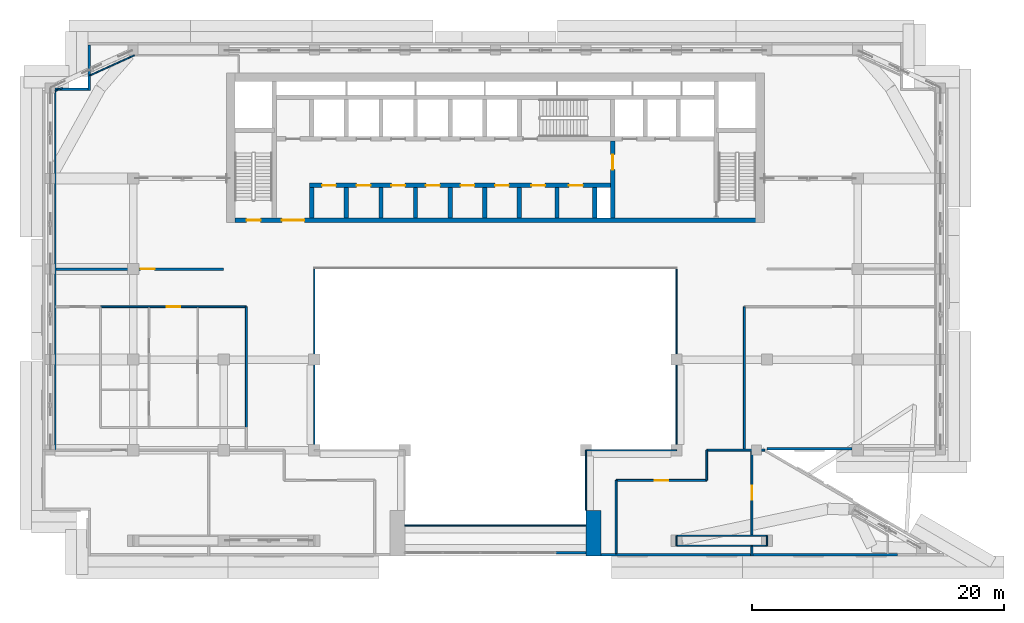
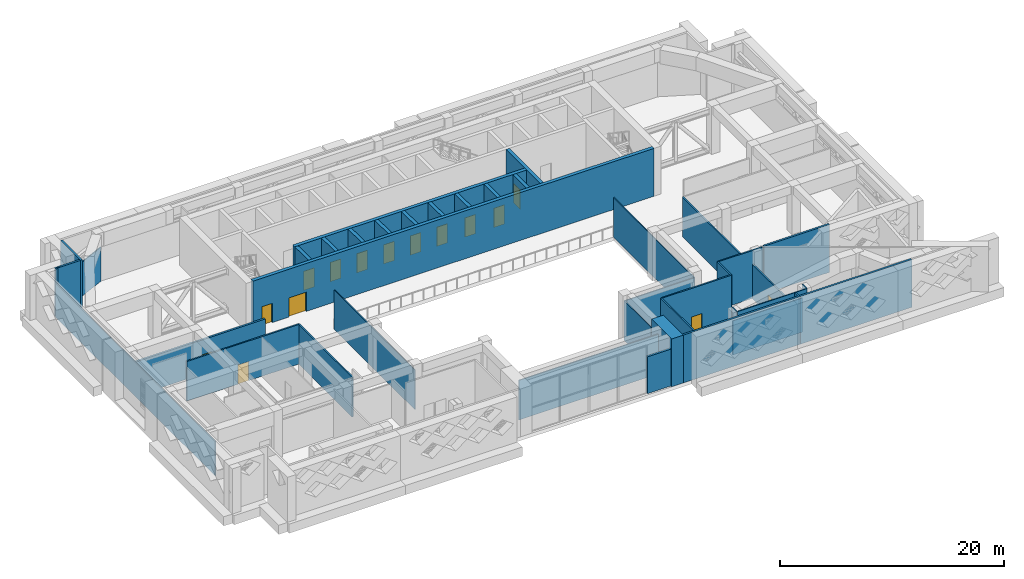
# One storey, part 9 of 20: 40 walls, 15 doors, 15 openings.
"""IFC4 building model written with IfcOpenShell, lengths in metres."""

from ifc_helpers import new_model, si_unit, direction, frame, frame_2d, origin, place, context, subcontext, project, spatial, rectangle, extrude, material, layer, layer_set, type_object, element, fill, save


model = new_model("IFC4")

# Units and contexts
model_context = context("Model", 3, precision=1e-05, world=origin(), true_north=direction((0.0, 1.0)))
body_context = subcontext(model_context, "Body", "Model", "MODEL_VIEW")
ifc_project = project(units=[si_unit("LENGTHUNIT", "METRE"), si_unit("AREAUNIT", "SQUARE_METRE"), si_unit("VOLUMEUNIT", "CUBIC_METRE"), si_unit("PLANEANGLEUNIT", "RADIAN"), si_unit("MASSUNIT", "GRAM", prefix="KILO")], contexts=[model_context])

# Site, building, storey
site_placement = place(None, origin())
site = spatial("IfcSite", under=ifc_project, at=site_placement, CompositionType="ELEMENT")
building_placement = place(site_placement, origin())
building = spatial("IfcBuilding", under=site, at=building_placement, Name="Saffron Iwan Residences", CompositionType="ELEMENT")
storey_placement = place(building_placement, frame((0.0, 0.0, 206.0)))
storey = spatial("IfcBuildingStorey", under=building, at=storey_placement, Name="L55", CompositionType="ELEMENT", Elevation=206.0)

# Wall, opening, door
ifc_material_1 = material(Name="Concrete blockwork", Category="masonry")
ifc_layer_1 = layer(ifc_material_1, 0.14990234375)
ifc_layer_set_1 = layer_set([ifc_layer_1], Name="Concrete blockwork")
wall_type_1 = type_object("IfcWallType", Name="Blockwork partition 150", PredefinedType="PARTITIONING", material=ifc_layer_set_1)
wall_1_placement = place(storey_placement, frame((60.0, 45.60009765625, 0.0), z_axis=(0.0, 0.0, 1.0), x_axis=(1.0, 0.0, 0.0)))
wall_1 = element("IfcWall", 1, at=wall_1_placement, inside=storey, type_object=wall_type_1, Name="W-L55-007", PredefinedType="PARTITIONING", context=body_context, shape_type="SweptSolid", body=[
    extrude(rectangle(XDim=7.199951171875, YDim=0.14990234375, at=frame_2d((3.60009765625, 0.0))), origin(), (0.0, 0.0, 1.0), 5.219970703125),
])
opening_1_placement = place(wall_1_placement, frame((3.050048828125, 0.0, 0.0)))
opening_1 = element("IfcOpeningElement", 2, at=opening_1_placement, cuts=wall_1, Name="Opening L55.08", PredefinedType="OPENING", context=body_context, shape_type="SweptSolid", body=[
    extrude(rectangle(XDim=1.10009765625, YDim=2.10009765625, at=frame_2d((0.550048828125, 1.050048828125))), frame((0.0, 0.0849609375, 0.0), z_axis=(0.0, -1.0, 0.0), x_axis=(1.0, 0.0, 0.0)), (0.0, 0.0, 1.0), 0.169921875),
])
ifc_material_2 = material(Name="Steel", Category="steel")
door_type_1 = type_object("IfcDoorType", Name="Fire door 1100x2100", OperationType="NOTDEFINED", PredefinedType="DOOR", material=ifc_material_2)
door_1_placement = place(opening_1_placement, origin())
door_1 = element("IfcDoor", 3, at=door_1_placement, inside=storey, type_object=door_type_1, Name="D-L55-008", OperationType="SINGLE_SWING_RIGHT", OverallHeight=2.10009765625, OverallWidth=1.10009765625, PredefinedType="DOOR", context=body_context, shape_type="SweptSolid", body=[
    extrude(rectangle(XDim=1.10009765625, YDim=2.10009765625, at=frame_2d((0.550048828125, 1.050048828125))), frame((0.0, 0.02490234375, 0.0), z_axis=(0.0, -1.0, 0.0), x_axis=(1.0, 0.0, 0.0)), (0.0, 0.0, 1.0), 0.050048828125),
])
fill(opening_1, door_1)

# Wall
wall_2_placement = place(storey_placement, frame((67.199951171875, 48.0, 0.0), z_axis=(0.0, 0.0, 1.0), x_axis=(1.0, 0.0, 0.0)))
element("IfcWall", 4, at=wall_2_placement, inside=storey, type_object=wall_type_1, Name="W-L55-012", PredefinedType="PARTITIONING", context=body_context, shape_type="SweptSolid", body=[
    extrude(rectangle(XDim=4.630126953125, YDim=0.14990234375, at=frame_2d((2.31494140625, 0.0))), origin(), (0.0, 0.0, 1.0), 5.219970703125),
])

# Wall, opening, door
wall_3_placement = place(storey_placement, frame((19.0, 59.39990234375, 0.0), z_axis=(0.0, 0.0, 1.0), x_axis=(1.0, 0.0, 0.0)))
wall_3 = element("IfcWall", 5, at=wall_3_placement, inside=storey, type_object=wall_type_1, Name="W-L55-015", PredefinedType="PARTITIONING", context=body_context, shape_type="SweptSolid", body=[
    extrude(rectangle(XDim=11.60009765625, YDim=0.14990234375, at=frame_2d((5.800048828125, 0.0))), origin(), (0.0, 0.0, 1.0), 4.320068359375),
])
opening_2_placement = place(wall_3_placement, frame((5.25, 0.0, 0.0)))
opening_2 = element("IfcOpeningElement", 6, at=opening_2_placement, cuts=wall_3, Name="Opening L55.13", PredefinedType="OPENING", context=body_context, shape_type="SweptSolid", body=[
    extrude(rectangle(XDim=1.10009765625, YDim=2.10009765625, at=frame_2d((0.550048828125, 1.050048828125))), frame((0.0, 0.0849609375, 0.0), z_axis=(0.0, -1.0, 0.0), x_axis=(1.0, 0.0, 0.0)), (0.0, 0.0, 1.0), 0.169921875),
])
ifc_material_3 = material(Name="Timber", Category="wood")
door_type_2 = type_object("IfcDoorType", Name="Door 1100x2100", OperationType="NOTDEFINED", PredefinedType="DOOR", material=ifc_material_3)
door_2_placement = place(opening_2_placement, origin())
door_2 = element("IfcDoor", 7, at=door_2_placement, inside=storey, type_object=door_type_2, Name="D-L55-013", OperationType="SINGLE_SWING_RIGHT", OverallHeight=2.10009765625, OverallWidth=1.10009765625, PredefinedType="DOOR", context=body_context, shape_type="SweptSolid", body=[
    extrude(rectangle(XDim=1.10009765625, YDim=2.10009765625, at=frame_2d((0.550048828125, 1.050048828125))), frame((0.0, 0.02490234375, 0.0), z_axis=(0.0, -1.0, 0.0), x_axis=(1.0, 0.0, 0.0)), (0.0, 0.0, 1.0), 0.050048828125),
])
fill(opening_2, door_2)

# Walls
wall_4_placement = place(storey_placement, frame((30.60009765625, 49.800048828125, 0.0), z_axis=(0.0, 0.0, 1.0), x_axis=(0.0, 1.0, 0.0)))
element("IfcWall", 8, at=wall_4_placement, inside=storey, type_object=wall_type_1, Name="W-L55-030", PredefinedType="PARTITIONING", context=body_context, shape_type="SweptSolid", body=[
    extrude(rectangle(XDim=9.599853515625, YDim=0.14990234375, at=frame_2d((4.7998046875, 0.0))), origin(), (0.0, 0.0, 1.0), 4.320068359375),
])
wall_5_placement = place(storey_placement, frame((60.0, 39.77001953125, 0.0), z_axis=(0.0, 0.0, 1.0), x_axis=(0.0, 1.0, 0.0)))
element("IfcWall", 9, at=wall_5_placement, inside=storey, type_object=wall_type_1, Name="W-L55-038", PredefinedType="PARTITIONING", context=body_context, shape_type="SweptSolid", body=[
    extrude(rectangle(XDim=5.830078125, YDim=0.14990234375, at=frame_2d((2.9150390625, 0.0))), origin(), (0.0, 0.0, 1.0), 5.219970703125),
])
wall_6_placement = place(storey_placement, frame((67.199951171875, 45.60009765625, 0.0), z_axis=(0.0, 0.0, 1.0), x_axis=(0.0, 1.0, 0.0)))
element("IfcWall", 10, at=wall_6_placement, inside=storey, type_object=wall_type_1, Name="W-L55-041", PredefinedType="PARTITIONING", context=body_context, shape_type="SweptSolid", body=[
    extrude(rectangle(XDim=2.39990234375, YDim=0.14990234375, at=frame_2d((1.199951171875, 0.0))), origin(), (0.0, 0.0, 1.0), 5.219970703125),
])
wall_7_placement = place(storey_placement, frame((70.199951171875, 48.074951171875, 0.0), z_axis=(0.0, 0.0, 1.0), x_axis=(0.0, 1.0, 0.0)))
element("IfcWall", 11, at=wall_7_placement, inside=storey, type_object=wall_type_1, Name="W-L55-042", PredefinedType="PARTITIONING", context=body_context, shape_type="SweptSolid", body=[
    extrude(rectangle(XDim=11.324951171875, YDim=0.14990234375, at=frame_2d((5.66259765625, 0.0))), origin(), (0.0, 0.0, 1.0), 4.320068359375),
])
wall_8_placement = place(storey_placement, frame((70.79296875, 39.60009765625, 0.0), z_axis=(0.0, 0.0, 1.0), x_axis=(0.0, 1.0, 0.0)))
element("IfcWall", 12, at=wall_8_placement, inside=storey, type_object=wall_type_1, Name="W-L55-043", PredefinedType="PARTITIONING", context=body_context, shape_type="SweptSolid", body=[
    extrude(rectangle(XDim=0.75, YDim=0.14990234375, at=frame_2d((0.375, 0.0))), origin(), (0.0, 0.0, 1.0), 5.219970703125),
])

# Wall, opening, door
wall_9_placement = place(storey_placement, frame((70.79296875, 41.25, 0.0), z_axis=(0.0, 0.0, 1.0), x_axis=(0.0, 1.0, 0.0)))
wall_9 = element("IfcWall", 13, at=wall_9_placement, inside=storey, type_object=wall_type_1, Name="W-L55-044", PredefinedType="PARTITIONING", context=body_context, shape_type="SweptSolid", body=[
    extrude(rectangle(XDim=6.675048828125, YDim=0.14990234375, at=frame_2d((3.33740234375, 0.0))), origin(), (0.0, 0.0, 1.0), 3.719970703125),
])
opening_3_placement = place(wall_9_placement, frame((2.800048828125, 0.0, 0.0)))
opening_3 = element("IfcOpeningElement", 14, at=opening_3_placement, cuts=wall_9, Name="Opening L55.12", PredefinedType="OPENING", context=body_context, shape_type="SweptSolid", body=[
    extrude(rectangle(XDim=1.10009765625, YDim=2.10009765625, at=frame_2d((0.550048828125, 1.050048828125))), frame((0.0, 0.0849609375, 0.0), z_axis=(0.0, -1.0, 0.0), x_axis=(1.0, 0.0, 0.0)), (0.0, 0.0, 1.0), 0.169921875),
])
door_3_placement = place(opening_3_placement, origin())
door_3 = element("IfcDoor", 15, at=door_3_placement, inside=storey, type_object=door_type_1, Name="D-L55-012", OperationType="SINGLE_SWING_RIGHT", OverallHeight=2.10009765625, OverallWidth=1.10009765625, PredefinedType="DOOR", context=body_context, shape_type="SweptSolid", body=[
    extrude(rectangle(XDim=1.10009765625, YDim=2.10009765625, at=frame_2d((0.550048828125, 1.050048828125))), frame((0.0, 0.02490234375, 0.0), z_axis=(0.0, -1.0, 0.0), x_axis=(1.0, 0.0, 0.0)), (0.0, 0.0, 1.0), 0.050048828125),
])
fill(opening_3, door_3)

# Walls
ifc_material_4 = material(Name="Concrete C40/50", Category="concrete")
ifc_layer_2 = layer(ifc_material_4, 0.199951171875)
ifc_layer_set_2 = layer_set([ifc_layer_2], Name="Concrete C40/50")
wall_type_2 = type_object("IfcWallType", Name="EXTERNAL WALL 200", PredefinedType="SOLIDWALL", material=ifc_layer_set_2)
wall_10_placement = place(storey_placement, frame((71.989990234375, 48.10009765625, 0.0), z_axis=(0.0, 0.0, 1.0), x_axis=(1.0, 0.0, 0.0)))
element("IfcWall", 16, at=wall_10_placement, inside=storey, type_object=wall_type_2, Name="External wall L55 F1.0", PredefinedType="SOLIDWALL", context=body_context, shape_type="SweptSolid", body=[
    extrude(rectangle(XDim=6.760009765625, YDim=0.199951171875, at=frame_2d((3.3798828125, 0.0))), origin(), (0.0, 0.0, 1.0), 5.219970703125),
])
wall_11_placement = place(storey_placement, frame((18.10009765625, 80.199951171875, 0.0), z_axis=(0.0, 0.0, 1.0), x_axis=(0.0, -1.0, 0.0)))
element("IfcWall", 17, at=wall_11_placement, inside=storey, type_object=wall_type_2, Name="External wall L55 F6.0", PredefinedType="SOLIDWALL", context=body_context, shape_type="SweptSolid", body=[
    extrude(rectangle(XDim=3.599853515625, YDim=0.199951171875, at=frame_2d((1.7998046875, 0.0))), origin(), (0.0, 0.0, 1.0), 5.219970703125),
])
wall_12_placement = place(storey_placement, frame((18.0, 76.699951171875, 0.0), z_axis=(0.0, 0.0, 1.0), x_axis=(-1.0, 0.0, 0.0)))
element("IfcWall", 18, at=wall_12_placement, inside=storey, type_object=wall_type_2, Name="External wall L55 F7.0", PredefinedType="SOLIDWALL", context=body_context, shape_type="SweptSolid", body=[
    extrude(rectangle(XDim=2.60009765625, YDim=0.199951171875, at=frame_2d((1.300048828125, 0.0))), origin(), (0.0, 0.0, 1.0), 5.219970703125),
])
wall_13_placement = place(storey_placement, frame((58.800048828125, 39.699951171875, 0.0), z_axis=(0.0, 0.0, 1.0), x_axis=(1.0, 0.0, 0.0)))
element("IfcWall", 19, at=wall_13_placement, inside=storey, type_object=wall_type_2, Name="External wall L55 F11.1", PredefinedType="SOLIDWALL", context=body_context, shape_type="SweptSolid", body=[
    extrude(rectangle(XDim=23.582763671875, YDim=0.199951171875, at=frame_2d((11.79150390625, 0.0))), origin(), (0.0, 0.0, 1.0), 5.219970703125),
])
wall_14_placement = place(storey_placement, frame((55.199951171875, 39.85009765625, 0.0), z_axis=(0.0, 0.0, 1.0), x_axis=(1.0, 0.0, 0.0)))
element("IfcWall", 20, at=wall_14_placement, inside=storey, type_object=wall_type_2, Name="External wall infill CWB-L55-0", PredefinedType="SOLIDWALL", context=body_context, shape_type="SweptSolid", body=[
    extrude(rectangle(XDim=2.400146484375, YDim=0.199951171875, at=frame_2d((1.2001953125, 0.0))), origin(), (0.0, 0.0, 1.0), 4.02001953125),
])
ifc_material_5 = material(Name="Glass", Category="glass")
ifc_layer_3 = layer(ifc_material_5, 0.10009765625)
ifc_layer_set_3 = layer_set([ifc_layer_3], Name="Glass")
wall_type_3 = type_object("IfcWallType", Name="Glazed screen wall 100", PredefinedType="PARTITIONING", material=ifc_layer_set_3)
wall_15_placement = place(storey_placement, frame((64.800048828125, 40.39990234375, 0.0), z_axis=(0.0, 0.0, 1.0), x_axis=(1.0, 0.0, 0.0)))
element("IfcWall", 21, at=wall_15_placement, inside=storey, type_object=wall_type_3, Name="W-L55-002", PredefinedType="PARTITIONING", context=body_context, shape_type="SweptSolid", body=[
    extrude(rectangle(XDim=7.199951171875, YDim=0.10009765625, at=frame_2d((3.60009765625, 0.0))), origin(), (0.0, 0.0, 1.0), 5.219970703125),
])
wall_16_placement = place(storey_placement, frame((64.800048828125, 41.199951171875, 0.0), z_axis=(0.0, 0.0, 1.0), x_axis=(1.0, 0.0, 0.0)))
element("IfcWall", 22, at=wall_16_placement, inside=storey, type_object=wall_type_3, Name="W-L55-004", PredefinedType="PARTITIONING", context=body_context, shape_type="SweptSolid", body=[
    extrude(rectangle(XDim=7.199951171875, YDim=0.10009765625, at=frame_2d((3.60009765625, 0.0))), origin(), (0.0, 0.0, 1.0), 3.719970703125),
])
wall_17_placement = place(storey_placement, frame((43.201904296875, 42.0, 0.0), z_axis=(0.0, 0.0, 1.0), x_axis=(1.0, 0.0, 0.0)))
element("IfcWall", 23, at=wall_17_placement, inside=storey, type_object=wall_type_3, Name="W-L55-005", PredefinedType="PARTITIONING", context=body_context, shape_type="SweptSolid", body=[
    extrude(rectangle(XDim=14.39599609375, YDim=0.10009765625, at=frame_2d((7.197998046875, 0.0))), origin(), (0.0, 0.0, 1.0), 4.320068359375),
])
wall_18_placement = place(storey_placement, frame((57.60009765625, 48.0, 0.0), z_axis=(0.0, 0.0, 1.0), x_axis=(1.0, 0.0, 0.0)))
element("IfcWall", 24, at=wall_18_placement, inside=storey, type_object=wall_type_3, Name="W-L55-010", PredefinedType="PARTITIONING", context=body_context, shape_type="SweptSolid", body=[
    extrude(rectangle(XDim=7.199951171875, YDim=0.10009765625, at=frame_2d((3.60009765625, 0.0))), origin(), (0.0, 0.0, 1.0), 4.320068359375),
])
wall_19_placement = place(storey_placement, frame((15.39990234375, 48.0, 0.0), z_axis=(0.0, 0.0, 1.0), x_axis=(0.0, 1.0, 0.0)))
element("IfcWall", 25, at=wall_19_placement, inside=storey, type_object=wall_type_3, Name="W-L55-022", PredefinedType="PARTITIONING", context=body_context, shape_type="SweptSolid", body=[
    extrude(rectangle(XDim=28.5419921875, YDim=0.10009765625, at=frame_2d((14.27099609375, 0.0))), origin(), (0.0, 0.0, 1.0), 3.719970703125),
])
wall_20_placement = place(storey_placement, frame((36.0, 48.0, 0.0), z_axis=(0.0, 0.0, 1.0), x_axis=(0.0, 1.0, 0.0)))
element("IfcWall", 26, at=wall_20_placement, inside=storey, type_object=wall_type_3, Name="W-L55-034", PredefinedType="PARTITIONING", context=body_context, shape_type="SweptSolid", body=[
    extrude(rectangle(XDim=14.39990234375, YDim=0.10009765625, at=frame_2d((7.199951171875, 0.0))), origin(), (0.0, 0.0, 1.0), 4.320068359375),
])
wall_21_placement = place(storey_placement, frame((57.60009765625, 43.201904296875, 0.0), z_axis=(0.0, 0.0, 1.0), x_axis=(0.0, 1.0, 0.0)))
element("IfcWall", 27, at=wall_21_placement, inside=storey, type_object=wall_type_3, Name="W-L55-037", PredefinedType="PARTITIONING", context=body_context, shape_type="SweptSolid", body=[
    extrude(rectangle(XDim=4.798095703125, YDim=0.10009765625, at=frame_2d((2.39892578125, 0.0))), origin(), (0.0, 0.0, 1.0), 4.320068359375),
])
wall_22_placement = place(storey_placement, frame((64.800048828125, 40.39990234375, 0.0), z_axis=(0.0, 0.0, 1.0), x_axis=(0.0, 1.0, 0.0)))
element("IfcWall", 28, at=wall_22_placement, inside=storey, type_object=wall_type_3, Name="W-L55-039", PredefinedType="PARTITIONING", context=body_context, shape_type="SweptSolid", body=[
    extrude(rectangle(XDim=0.800048828125, YDim=0.10009765625, at=frame_2d((0.39990234375, 0.0))), origin(), (0.0, 0.0, 1.0), 5.219970703125),
])
wall_23_placement = place(storey_placement, frame((64.800048828125, 48.0, 0.0), z_axis=(0.0, 0.0, 1.0), x_axis=(0.0, 1.0, 0.0)))
element("IfcWall", 29, at=wall_23_placement, inside=storey, type_object=wall_type_3, Name="W-L55-040", PredefinedType="PARTITIONING", context=body_context, shape_type="SweptSolid", body=[
    extrude(rectangle(XDim=14.39990234375, YDim=0.10009765625, at=frame_2d((7.199951171875, 0.0))), origin(), (0.0, 0.0, 1.0), 4.320068359375),
])
wall_24_placement = place(storey_placement, frame((72.0, 40.39990234375, 0.0), z_axis=(0.0, 0.0, 1.0), x_axis=(0.0, 1.0, 0.0)))
element("IfcWall", 30, at=wall_24_placement, inside=storey, type_object=wall_type_3, Name="W-L55-045", PredefinedType="PARTITIONING", context=body_context, shape_type="SweptSolid", body=[
    extrude(rectangle(XDim=0.800048828125, YDim=0.10009765625, at=frame_2d((0.39990234375, 0.0))), origin(), (0.0, 0.0, 1.0), 5.219970703125),
])
wall_25_placement = place(storey_placement, frame((15.967041015625, 76.800048828125, 0.0), z_axis=(0.0, 0.0, 1.0), x_axis=(-0.910205385289, -0.41415716412, 0.0)))
element("IfcWall", 31, at=wall_25_placement, inside=storey, type_object=wall_type_3, Name="W-L55-048", PredefinedType="PARTITIONING", context=body_context, shape_type="SweptSolid", body=[
    extrude(rectangle(XDim=0.623046875, YDim=0.10009765625, at=frame_2d((0.3115234375, 0.0))), origin(), (0.0, 0.0, 1.0), 5.219970703125),
])
wall_26_placement = place(storey_placement, frame((21.68701171875, 79.39990234375, 0.0), z_axis=(0.0, 0.0, 1.0), x_axis=(-0.910316907758, -0.413911980316, 0.0)))
element("IfcWall", 32, at=wall_26_placement, inside=storey, type_object=wall_type_3, Name="W-L55-049", PredefinedType="PARTITIONING", context=body_context, shape_type="SweptSolid", body=[
    extrude(rectangle(XDim=3.8798828125, YDim=0.10009765625, at=frame_2d((1.93994140625, 0.0))), origin(), (0.0, 0.0, 1.0), 3.719970703125),
])

# Wall, opening, door
ifc_layer_4 = layer(ifc_material_4, 0.199951171875)
ifc_layer_set_4 = layer_set([ifc_layer_4], Name="Concrete C40/50")
wall_type_4 = type_object("IfcWallType", Name="Reinforced concrete wall 200", PredefinedType="SOLIDWALL", material=ifc_layer_set_4)
wall_27_placement = place(storey_placement, frame((15.449951171875, 62.39990234375, 0.0), z_axis=(0.0, 0.0, 1.0), x_axis=(1.0, 0.0, 0.0)))
wall_27 = element("IfcWall", 33, at=wall_27_placement, inside=storey, type_object=wall_type_4, Name="W-L55-019", PredefinedType="SOLIDWALL", context=body_context, shape_type="SweptSolid", body=[
    extrude(rectangle(XDim=13.35009765625, YDim=0.199951171875, at=frame_2d((6.675048828125, 0.0))), origin(), (0.0, 0.0, 1.0), 3.719970703125),
])
opening_4_placement = place(wall_27_placement, frame((6.75, 0.0, 0.0)))
opening_4 = element("IfcOpeningElement", 34, at=opening_4_placement, cuts=wall_27, Name="Opening L55.07", PredefinedType="OPENING", context=body_context, shape_type="SweptSolid", body=[
    extrude(rectangle(XDim=1.10009765625, YDim=2.10009765625, at=frame_2d((0.550048828125, 1.050048828125))), frame((0.0, 0.10986328125, 0.0), z_axis=(0.0, -1.0, 0.0), x_axis=(1.0, 0.0, 0.0)), (0.0, 0.0, 1.0), 0.219970703125),
])
door_4_placement = place(opening_4_placement, origin())
door_4 = element("IfcDoor", 35, at=door_4_placement, inside=storey, type_object=door_type_1, Name="D-L55-007", OperationType="SINGLE_SWING_RIGHT", OverallHeight=2.10009765625, OverallWidth=1.10009765625, PredefinedType="DOOR", context=body_context, shape_type="SweptSolid", body=[
    extrude(rectangle(XDim=1.10009765625, YDim=2.10009765625, at=frame_2d((0.550048828125, 1.050048828125))), frame((0.0, 0.02490234375, 0.0), z_axis=(0.0, -1.0, 0.0), x_axis=(1.0, 0.0, 0.0)), (0.0, 0.0, 1.0), 0.050048828125),
])
fill(opening_4, door_4)

# Wall, openings, doors
ifc_material_6 = material(Name="Concrete C50/60", Category="concrete")
ifc_layer_5 = layer(ifc_material_6, 0.35009765625)
ifc_layer_set_5 = layer_set([ifc_layer_5], Name="Concrete C50/60")
wall_type_5 = type_object("IfcWallType", Name="WALL CORE 350 C50/60 5220 HIGH", PredefinedType="SHEAR", material=ifc_layer_set_5)
wall_28_placement = place(storey_placement, frame((29.699951171875, 66.27490234375, 0.0), z_axis=(0.0, 0.0, 1.0), x_axis=(1.0, 0.0, 0.0)))
wall_28 = element("IfcWall", 36, at=wall_28_placement, inside=storey, type_object=wall_type_5, Name="Core wall", PredefinedType="SHEAR", context=body_context, shape_type="SweptSolid", body=[
    extrude(rectangle(XDim=41.400146484375, YDim=0.35009765625, at=frame_2d((20.7001953125, 0.0))), origin(), (0.0, 0.0, 1.0), 5.219970703125),
])
opening_5_placement = place(wall_28_placement, frame((0.925048828125, 0.0, 0.0)))
opening_5 = element("IfcOpeningElement", 37, at=opening_5_placement, cuts=wall_28, Name="Opening SD", PredefinedType="OPENING", context=body_context, shape_type="SweptSolid", body=[
    extrude(rectangle(XDim=1.10009765625, YDim=2.10009765625, at=frame_2d((0.550048828125, 1.050048828125))), frame((0.0, 0.18505859375, 0.0), z_axis=(0.0, -1.0, 0.0), x_axis=(1.0, 0.0, 0.0)), (0.0, 0.0, 1.0), 0.3701171875),
])
opening_6_placement = place(wall_28_placement, frame((3.71240234375, 0.0, 0.0)))
opening_6 = element("IfcOpeningElement", 38, at=opening_6_placement, cuts=wall_28, Name="Opening DD", PredefinedType="OPENING", context=body_context, shape_type="SweptSolid", body=[
    extrude(rectangle(XDim=1.800048828125, YDim=2.10009765625, at=frame_2d((0.89990234375, 1.050048828125))), frame((0.0, 0.18505859375, 0.0), z_axis=(0.0, -1.0, 0.0), x_axis=(1.0, 0.0, 0.0)), (0.0, 0.0, 1.0), 0.3701171875),
])
ifc_material_7 = material(Name="Steel fire door", Category="steel")
door_type_3 = type_object("IfcDoorType", Name="Lobby double door 1800", OperationType="DOUBLE_DOOR_SINGLE_SWING", PredefinedType="DOOR", material=ifc_material_7)
door_5_placement = place(opening_6_placement, origin())
door_5 = element("IfcDoor", 39, at=door_5_placement, inside=storey, type_object=door_type_3, Name="Lobby doors", OperationType="DOUBLE_DOOR_SINGLE_SWING", OverallHeight=2.10009765625, OverallWidth=1.800048828125, PredefinedType="DOOR", context=body_context, shape_type="SweptSolid", body=[
    extrude(rectangle(XDim=1.800048828125, YDim=2.10009765625, at=frame_2d((0.89990234375, 1.050048828125))), frame((0.0, 0.02490234375, 0.0), z_axis=(0.0, -1.0, 0.0), x_axis=(1.0, 0.0, 0.0)), (0.0, 0.0, 1.0), 0.050048828125),
])
fill(opening_6, door_5)
door_type_4 = type_object("IfcDoorType", Name="Stair door 1100", OperationType="NOTDEFINED", PredefinedType="DOOR", material=ifc_material_7)
door_6_placement = place(opening_5_placement, origin())
door_6 = element("IfcDoor", 40, at=door_6_placement, inside=storey, type_object=door_type_4, Name="Stair door ST-W", OperationType="SINGLE_SWING_LEFT", OverallHeight=2.10009765625, OverallWidth=1.10009765625, PredefinedType="DOOR", context=body_context, shape_type="SweptSolid", body=[
    extrude(rectangle(XDim=1.10009765625, YDim=2.10009765625, at=frame_2d((0.550048828125, 1.050048828125))), frame((0.0, 0.02490234375, 0.0), z_axis=(0.0, -1.0, 0.0), x_axis=(1.0, 0.0, 0.0)), (0.0, 0.0, 1.0), 0.050048828125),
])
fill(opening_5, door_6)

wall_29_placement = place(storey_placement, frame((35.625, 69.050048828125, 0.0), z_axis=(0.0, 0.0, 1.0), x_axis=(1.0, 0.0, 0.0)))
wall_29 = element("IfcWall", 41, at=wall_29_placement, inside=storey, type_object=wall_type_5, Name="Core wall", PredefinedType="SHEAR", context=body_context, shape_type="SweptSolid", body=[
    extrude(rectangle(XDim=24.10009765625, YDim=0.35009765625, at=frame_2d((12.050048828125, 0.0))), origin(), (0.0, 0.0, 1.0), 5.219970703125),
])
opening_7_placement = place(wall_29_placement, frame((1.0, 0.0, 0.0)))
opening_7 = element("IfcOpeningElement", 42, at=opening_7_placement, cuts=wall_29, Name="Opening SR", PredefinedType="OPENING", context=body_context, shape_type="SweptSolid", body=[
    extrude(rectangle(XDim=1.10009765625, YDim=2.10009765625, at=frame_2d((0.550048828125, 1.050048828125))), frame((0.0, 0.18505859375, 0.0), z_axis=(0.0, -1.0, 0.0), x_axis=(1.0, 0.0, 0.0)), (0.0, 0.0, 1.0), 0.3701171875),
])
opening_8_placement = place(wall_29_placement, frame((3.75, 0.0, 0.0)))
opening_8 = element("IfcOpeningElement", 43, at=opening_8_placement, cuts=wall_29, Name="Opening SR", PredefinedType="OPENING", context=body_context, shape_type="SweptSolid", body=[
    extrude(rectangle(XDim=1.10009765625, YDim=2.10009765625, at=frame_2d((0.550048828125, 1.050048828125))), frame((0.0, 0.18505859375, 0.0), z_axis=(0.0, -1.0, 0.0), x_axis=(1.0, 0.0, 0.0)), (0.0, 0.0, 1.0), 0.3701171875),
])
opening_9_placement = place(wall_29_placement, frame((6.5, 0.0, 0.0)))
opening_9 = element("IfcOpeningElement", 44, at=opening_9_placement, cuts=wall_29, Name="Opening SR", PredefinedType="OPENING", context=body_context, shape_type="SweptSolid", body=[
    extrude(rectangle(XDim=1.10009765625, YDim=2.10009765625, at=frame_2d((0.550048828125, 1.050048828125))), frame((0.0, 0.18505859375, 0.0), z_axis=(0.0, -1.0, 0.0), x_axis=(1.0, 0.0, 0.0)), (0.0, 0.0, 1.0), 0.3701171875),
])
opening_10_placement = place(wall_29_placement, frame((9.25, 0.0, 0.0)))
opening_10 = element("IfcOpeningElement", 45, at=opening_10_placement, cuts=wall_29, Name="Opening SR", PredefinedType="OPENING", context=body_context, shape_type="SweptSolid", body=[
    extrude(rectangle(XDim=1.10009765625, YDim=2.10009765625, at=frame_2d((0.550048828125, 1.050048828125))), frame((0.0, 0.18505859375, 0.0), z_axis=(0.0, -1.0, 0.0), x_axis=(1.0, 0.0, 0.0)), (0.0, 0.0, 1.0), 0.3701171875),
])
opening_11_placement = place(wall_29_placement, frame((12.0, 0.0, 0.0)))
opening_11 = element("IfcOpeningElement", 46, at=opening_11_placement, cuts=wall_29, Name="Opening SR", PredefinedType="OPENING", context=body_context, shape_type="SweptSolid", body=[
    extrude(rectangle(XDim=1.10009765625, YDim=2.10009765625, at=frame_2d((0.550048828125, 1.050048828125))), frame((0.0, 0.18505859375, 0.0), z_axis=(0.0, -1.0, 0.0), x_axis=(1.0, 0.0, 0.0)), (0.0, 0.0, 1.0), 0.3701171875),
])
opening_12_placement = place(wall_29_placement, frame((14.75, 0.0, 0.0)))
opening_12 = element("IfcOpeningElement", 47, at=opening_12_placement, cuts=wall_29, Name="Opening SR", PredefinedType="OPENING", context=body_context, shape_type="SweptSolid", body=[
    extrude(rectangle(XDim=1.10009765625, YDim=2.10009765625, at=frame_2d((0.550048828125, 1.050048828125))), frame((0.0, 0.18505859375, 0.0), z_axis=(0.0, -1.0, 0.0), x_axis=(1.0, 0.0, 0.0)), (0.0, 0.0, 1.0), 0.3701171875),
])
opening_13_placement = place(wall_29_placement, frame((17.625, 0.0, 0.0)))
opening_13 = element("IfcOpeningElement", 48, at=opening_13_placement, cuts=wall_29, Name="Opening SR", PredefinedType="OPENING", context=body_context, shape_type="SweptSolid", body=[
    extrude(rectangle(XDim=1.10009765625, YDim=2.10009765625, at=frame_2d((0.550048828125, 1.050048828125))), frame((0.0, 0.18505859375, 0.0), z_axis=(0.0, -1.0, 0.0), x_axis=(1.0, 0.0, 0.0)), (0.0, 0.0, 1.0), 0.3701171875),
])
opening_14_placement = place(wall_29_placement, frame((20.625, 0.0, 0.0)))
opening_14 = element("IfcOpeningElement", 49, at=opening_14_placement, cuts=wall_29, Name="Opening SR", PredefinedType="OPENING", context=body_context, shape_type="SweptSolid", body=[
    extrude(rectangle(XDim=1.10009765625, YDim=2.10009765625, at=frame_2d((0.550048828125, 1.050048828125))), frame((0.0, 0.18505859375, 0.0), z_axis=(0.0, -1.0, 0.0), x_axis=(1.0, 0.0, 0.0)), (0.0, 0.0, 1.0), 0.3701171875),
])
door_type_5 = type_object("IfcDoorType", Name="Service door 1100", OperationType="NOTDEFINED", PredefinedType="DOOR", material=ifc_material_7)
door_7_placement = place(opening_7_placement, origin())
door_7 = element("IfcDoor", 50, at=door_7_placement, inside=storey, type_object=door_type_5, Name="Door Pump room", OperationType="SINGLE_SWING_RIGHT", OverallHeight=2.10009765625, OverallWidth=1.10009765625, PredefinedType="DOOR", context=body_context, shape_type="SweptSolid", body=[
    extrude(rectangle(XDim=1.10009765625, YDim=2.10009765625, at=frame_2d((0.550048828125, 1.050048828125))), frame((0.0, 0.02490234375, 0.0), z_axis=(0.0, -1.0, 0.0), x_axis=(1.0, 0.0, 0.0)), (0.0, 0.0, 1.0), 0.050048828125),
])
fill(opening_7, door_7)
door_8_placement = place(opening_8_placement, origin())
door_8 = element("IfcDoor", 51, at=door_8_placement, inside=storey, type_object=door_type_5, Name="Door Air handling room", OperationType="SINGLE_SWING_LEFT", OverallHeight=2.10009765625, OverallWidth=1.10009765625, PredefinedType="DOOR", context=body_context, shape_type="SweptSolid", body=[
    extrude(rectangle(XDim=1.10009765625, YDim=2.10009765625, at=frame_2d((0.550048828125, 1.050048828125))), frame((0.0, 0.02490234375, 0.0), z_axis=(0.0, -1.0, 0.0), x_axis=(1.0, 0.0, 0.0)), (0.0, 0.0, 1.0), 0.050048828125),
])
fill(opening_8, door_8)
door_9_placement = place(opening_9_placement, origin())
door_9 = element("IfcDoor", 52, at=door_9_placement, inside=storey, type_object=door_type_5, Name="Door Communications plant room", OperationType="SINGLE_SWING_RIGHT", OverallHeight=2.10009765625, OverallWidth=1.10009765625, PredefinedType="DOOR", context=body_context, shape_type="SweptSolid", body=[
    extrude(rectangle(XDim=1.10009765625, YDim=2.10009765625, at=frame_2d((0.550048828125, 1.050048828125))), frame((0.0, 0.02490234375, 0.0), z_axis=(0.0, -1.0, 0.0), x_axis=(1.0, 0.0, 0.0)), (0.0, 0.0, 1.0), 0.050048828125),
])
fill(opening_9, door_9)
door_10_placement = place(opening_10_placement, origin())
door_10 = element("IfcDoor", 53, at=door_10_placement, inside=storey, type_object=door_type_5, Name="Door Water booster room", OperationType="SINGLE_SWING_LEFT", OverallHeight=2.10009765625, OverallWidth=1.10009765625, PredefinedType="DOOR", context=body_context, shape_type="SweptSolid", body=[
    extrude(rectangle(XDim=1.10009765625, YDim=2.10009765625, at=frame_2d((0.550048828125, 1.050048828125))), frame((0.0, 0.02490234375, 0.0), z_axis=(0.0, -1.0, 0.0), x_axis=(1.0, 0.0, 0.0)), (0.0, 0.0, 1.0), 0.050048828125),
])
fill(opening_10, door_10)
door_11_placement = place(opening_11_placement, origin())
door_11 = element("IfcDoor", 54, at=door_11_placement, inside=storey, type_object=door_type_5, Name="Door Fire pump room", OperationType="SINGLE_SWING_RIGHT", OverallHeight=2.10009765625, OverallWidth=1.10009765625, PredefinedType="DOOR", context=body_context, shape_type="SweptSolid", body=[
    extrude(rectangle(XDim=1.10009765625, YDim=2.10009765625, at=frame_2d((0.550048828125, 1.050048828125))), frame((0.0, 0.02490234375, 0.0), z_axis=(0.0, -1.0, 0.0), x_axis=(1.0, 0.0, 0.0)), (0.0, 0.0, 1.0), 0.050048828125),
])
fill(opening_11, door_11)
door_12_placement = place(opening_12_placement, origin())
door_12 = element("IfcDoor", 55, at=door_12_placement, inside=storey, type_object=door_type_5, Name="Door Switch plant room", OperationType="SINGLE_SWING_LEFT", OverallHeight=2.10009765625, OverallWidth=1.10009765625, PredefinedType="DOOR", context=body_context, shape_type="SweptSolid", body=[
    extrude(rectangle(XDim=1.10009765625, YDim=2.10009765625, at=frame_2d((0.550048828125, 1.050048828125))), frame((0.0, 0.02490234375, 0.0), z_axis=(0.0, -1.0, 0.0), x_axis=(1.0, 0.0, 0.0)), (0.0, 0.0, 1.0), 0.050048828125),
])
fill(opening_12, door_12)
door_13_placement = place(opening_13_placement, origin())
door_13 = element("IfcDoor", 56, at=door_13_placement, inside=storey, type_object=door_type_5, Name="Door Communications plant room", OperationType="SINGLE_SWING_RIGHT", OverallHeight=2.10009765625, OverallWidth=1.10009765625, PredefinedType="DOOR", context=body_context, shape_type="SweptSolid", body=[
    extrude(rectangle(XDim=1.10009765625, YDim=2.10009765625, at=frame_2d((0.550048828125, 1.050048828125))), frame((0.0, 0.02490234375, 0.0), z_axis=(0.0, -1.0, 0.0), x_axis=(1.0, 0.0, 0.0)), (0.0, 0.0, 1.0), 0.050048828125),
])
fill(opening_13, door_13)
door_14_placement = place(opening_14_placement, origin())
door_14 = element("IfcDoor", 57, at=door_14_placement, inside=storey, type_object=door_type_5, Name="Door Water booster room", OperationType="SINGLE_SWING_RIGHT", OverallHeight=2.10009765625, OverallWidth=1.10009765625, PredefinedType="DOOR", context=body_context, shape_type="SweptSolid", body=[
    extrude(rectangle(XDim=1.10009765625, YDim=2.10009765625, at=frame_2d((0.550048828125, 1.050048828125))), frame((0.0, 0.02490234375, 0.0), z_axis=(0.0, -1.0, 0.0), x_axis=(1.0, 0.0, 0.0)), (0.0, 0.0, 1.0), 0.050048828125),
])
fill(opening_14, door_14)

# Wall, opening, door
wall_30_placement = place(storey_placement, frame((59.72509765625, 66.449951171875, 0.0), z_axis=(0.0, 0.0, 1.0), x_axis=(0.0, 1.0, 0.0)))
wall_30 = element("IfcWall", 58, at=wall_30_placement, inside=storey, type_object=wall_type_5, Name="Core wall", PredefinedType="SHEAR", context=body_context, shape_type="SweptSolid", body=[
    extrude(rectangle(XDim=6.125, YDim=0.35009765625, at=frame_2d((3.0625, 0.0))), origin(), (0.0, 0.0, 1.0), 5.219970703125),
])
opening_15_placement = place(wall_30_placement, frame((3.85009765625, 0.0, 0.0)))
opening_15 = element("IfcOpeningElement", 59, at=opening_15_placement, cuts=wall_30, Name="Opening FD", PredefinedType="OPENING", context=body_context, shape_type="SweptSolid", body=[
    extrude(rectangle(XDim=1.199951171875, YDim=2.10009765625, at=frame_2d((0.60009765625, 1.050048828125))), frame((0.0, 0.18505859375, 0.0), z_axis=(0.0, -1.0, 0.0), x_axis=(1.0, 0.0, 0.0)), (0.0, 0.0, 1.0), 0.3701171875),
])
door_type_6 = type_object("IfcDoorType", Name="Firefighting lobby door 1200", OperationType="NOTDEFINED", PredefinedType="DOOR", material=ifc_material_7)
door_15_placement = place(opening_15_placement, origin())
door_15 = element("IfcDoor", 60, at=door_15_placement, inside=storey, type_object=door_type_6, Name="Firefighting lobby door", OperationType="SINGLE_SWING_LEFT", OverallHeight=2.10009765625, OverallWidth=1.199951171875, PredefinedType="DOOR", context=body_context, shape_type="SweptSolid", body=[
    extrude(rectangle(XDim=1.199951171875, YDim=2.10009765625, at=frame_2d((0.60009765625, 1.050048828125))), frame((0.0, 0.02490234375, 0.0), z_axis=(0.0, -1.0, 0.0), x_axis=(1.0, 0.0, 0.0)), (0.0, 0.0, 1.0), 0.050048828125),
])
fill(opening_15, door_15)

# Walls
for number, where, z_axis, x_axis, name in (
    (61, (35.800048828125, 66.449951171875, 0.0), (0.0, 0.0, 1.0), (0.0, 1.0, 0.0), "Core wall"),
    (62, (38.550048828125, 66.449951171875, 0.0), (0.0, 0.0, 1.0), (0.0, 1.0, 0.0), "Core wall"),
    (63, (41.300048828125, 66.449951171875, 0.0), (0.0, 0.0, 1.0), (0.0, 1.0, 0.0), "Core wall"),
    (64, (44.050048828125, 66.449951171875, 0.0), (0.0, 0.0, 1.0), (0.0, 1.0, 0.0), "Core wall"),
    (65, (46.800048828125, 66.449951171875, 0.0), (0.0, 0.0, 1.0), (0.0, 1.0, 0.0), "Core wall"),
    (66, (49.550048828125, 66.449951171875, 0.0), (0.0, 0.0, 1.0), (0.0, 1.0, 0.0), "Core wall"),
    (67, (52.300048828125, 66.449951171875, 0.0), (0.0, 0.0, 1.0), (0.0, 1.0, 0.0), "Core wall"),
    (68, (55.300048828125, 66.449951171875, 0.0), (0.0, 0.0, 1.0), (0.0, 1.0, 0.0), "Core wall"),
    (69, (58.300048828125, 66.449951171875, 0.0), (0.0, 0.0, 1.0), (0.0, 1.0, 0.0), "Core wall"),
):
    element("IfcWall", number, at=place(storey_placement, frame(where, z_axis=z_axis, x_axis=x_axis)), inside=storey, type_object=wall_type_5, Name=name, PredefinedType="SHEAR", context=body_context, shape_type="SweptSolid", body=[
        extrude(rectangle(XDim=2.425048828125, YDim=0.35009765625, at=frame_2d((1.21240234375, 0.0))), origin(), (0.0, 0.0, 1.0), 5.219970703125),
    ])
ifc_layer_6 = layer(ifc_material_6, 1.199951171875)
ifc_layer_set_6 = layer_set([ifc_layer_6], Name="Concrete C50/60")
wall_type_6 = type_object("IfcWallType", Name="WALL IWAN PIER 1200 C50/60 5220 HIGH", PredefinedType="SHEAR", material=ifc_layer_set_6)
wall_31_placement = place(storey_placement, frame((58.199951171875, 39.60009765625, 0.0), z_axis=(0.0, 0.0, 1.0), x_axis=(0.0, 1.0, 0.0)))
element("IfcWall", 70, at=wall_31_placement, inside=storey, type_object=wall_type_6, Name="IWAN PIER", PredefinedType="SHEAR", context=body_context, shape_type="SweptSolid", body=[
    extrude(rectangle(XDim=3.599853515625, YDim=1.199951171875, at=frame_2d((1.7998046875, 0.0))), origin(), (0.0, 0.0, 1.0), 5.219970703125),
])

save(model, "model.ifc")
